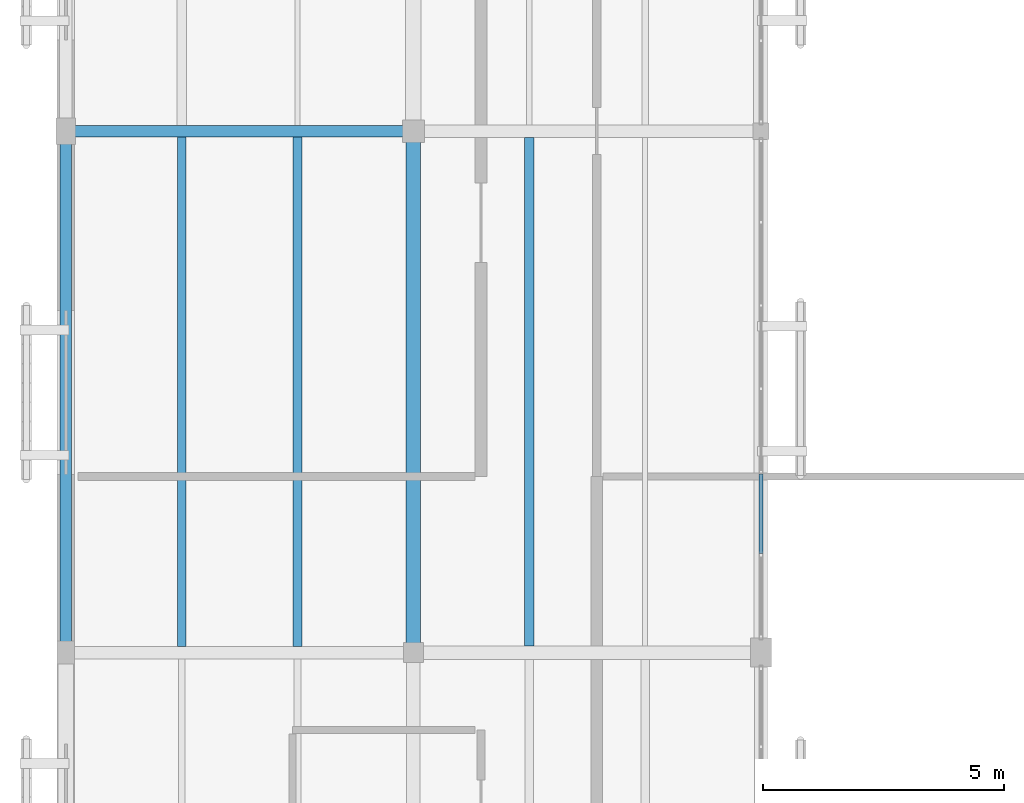
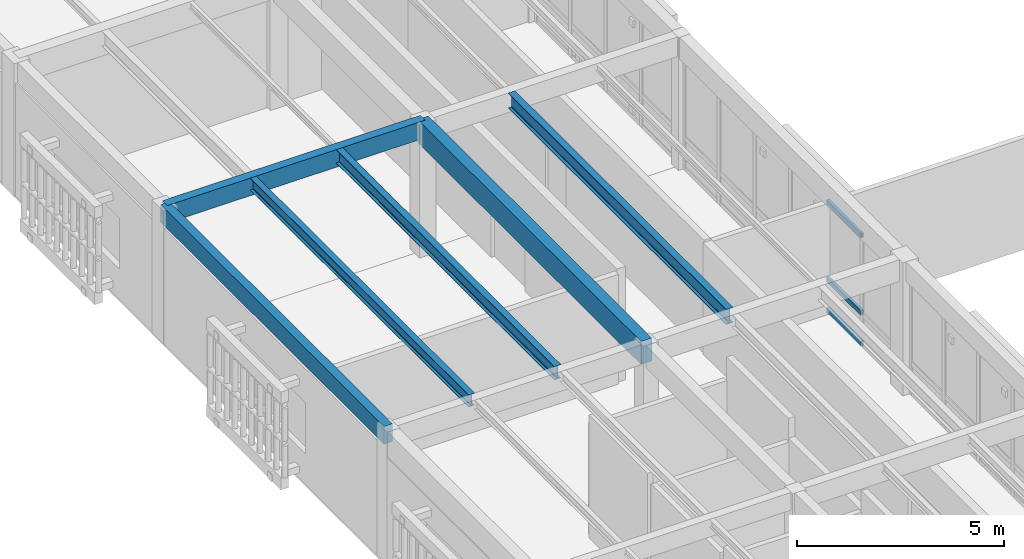
# One storey, part 26 of 112: 6 beams, 3 members, 1 element without a shape of its own.
"""IFC4 building model written with IfcOpenShell, lengths in metres."""

from ifc_helpers import new_model, si_unit, direction, frame, origin, origin_2d, place, context, subcontext, project, spatial, rectangle, hollow_rectangle, i_section, extrude, material, layer, layer_set, material_profile, profile_set, type_object, element, aggregate, save


model = new_model("IFC4")

# Units and contexts
model_context = context("Model", 3, precision=1e-05, world=origin(), true_north=direction((0.0, 1.0)))
body_context = subcontext(model_context, "Body", "Model", "MODEL_VIEW")
ifc_project = project(units=[si_unit("LENGTHUNIT", "METRE"), si_unit("AREAUNIT", "SQUARE_METRE"), si_unit("VOLUMEUNIT", "CUBIC_METRE"), si_unit("PLANEANGLEUNIT", "RADIAN"), si_unit("MASSUNIT", "GRAM", prefix="KILO")], contexts=[model_context])

# Site, building, storey
site_placement = place(None, origin())
site = spatial("IfcSite", under=ifc_project, at=site_placement, CompositionType="ELEMENT")
building_placement = place(site_placement, origin())
building = spatial("IfcBuilding", under=site, at=building_placement, Name="Mazaris Harbour Polytechnic", CompositionType="ELEMENT")
storey_placement = place(building_placement, frame((0.0, 0.0, 13.800048828125)))
storey = spatial("IfcBuildingStorey", under=building, at=storey_placement, Name="L03", CompositionType="ELEMENT", Elevation=13.800048828125)

# Curtain wall, members
ifc_material_1 = material(Name="Anodised Bronze Aluminium and Low-E Glass", Category="aluminium")
ifc_layer = layer(ifc_material_1, 0.159912109375, Name="Anodised Bronze Aluminium and Low-E Glass")
ifc_layer_set = layer_set([ifc_layer], Name="Anodised Bronze Aluminium and Low-E Glass")
curtain_wall_type = type_object("IfcCurtainWallType", Name="Cloister Court Curtain Wall", PredefinedType="NOTDEFINED", material=ifc_layer_set)
curtain_wall_placement = place(storey_placement, origin())
curtain_wall = element("IfcCurtainWall", 1, at=curtain_wall_placement, inside=storey, type_object=curtain_wall_type, Name="V4 L03 Curtain Wall 155", PredefinedType="NOTDEFINED")
ifc_material_2 = material(Name="Anodised Bronze Steel S355", Category="steel")
ifc_material_profile_1 = material_profile(ifc_material_2, hollow_rectangle(XDim=0.080078125, YDim=0.139892578125, WallThickness=0.00634765625, at=origin_2d()), Name="RHS 80x140x6.3")
ifc_profile_set_1 = profile_set([ifc_material_profile_1], Name="Anodised Bronze Steel S355")
member_type = type_object("IfcMemberType", Name="Curtain Transom RHS80x140", PredefinedType="USERDEFINED", material=ifc_profile_set_1)
member_1_placement = place(storey_placement, frame((14.39990234375, 45.25634765625, 0.0400390625), z_axis=(0.0, 1.0, 0.0), x_axis=(-1.0, 0.0, 0.0)))
member_1 = element("IfcMember", 2, at=member_1_placement, type_object=member_type, Name="CW-02 transom 2.1", ObjectType="TRANSOM", PredefinedType="USERDEFINED", context=body_context, shape_type="SweptSolid", body=[
    extrude(hollow_rectangle(XDim=0.080078125, YDim=0.139892578125, WallThickness=0.00634765625, at=origin_2d()), origin(), (0.0, 0.0, 1.0), 1.644287109375),
])
member_2_placement = place(storey_placement, frame((14.39990234375, 45.25634765625, 0.949951171875), z_axis=(0.0, 1.0, 0.0), x_axis=(-1.0, 0.0, 0.0)))
member_2 = element("IfcMember", 3, at=member_2_placement, type_object=member_type, Name="CW-02 transom 2.2", ObjectType="TRANSOM", PredefinedType="USERDEFINED", context=body_context, shape_type="SweptSolid", body=[
    extrude(hollow_rectangle(XDim=0.080078125, YDim=0.139892578125, WallThickness=0.00634765625, at=origin_2d()), origin(), (0.0, 0.0, 1.0), 1.644287109375),
])
member_3_placement = place(storey_placement, frame((14.39990234375, 45.25634765625, 3.22998046875), z_axis=(0.0, 1.0, 0.0), x_axis=(-1.0, 0.0, 0.0)))
member_3 = element("IfcMember", 4, at=member_3_placement, type_object=member_type, Name="CW-02 transom 2.3", ObjectType="TRANSOM", PredefinedType="USERDEFINED", context=body_context, shape_type="SweptSolid", body=[
    extrude(hollow_rectangle(XDim=0.080078125, YDim=0.139892578125, WallThickness=0.00634765625, at=origin_2d()), origin(), (0.0, 0.0, 1.0), 1.644287109375),
])
aggregate(curtain_wall, [member_1, member_2, member_3])

# Beams
ifc_material_3 = material(Name="Glulam GL32h", Category="wood")
ifc_material_profile_2 = material_profile(ifc_material_3, rectangle(XDim=0.239990234375, YDim=0.52001953125, at=origin_2d()), Name="RECT240x520")
ifc_profile_set_2 = profile_set([ifc_material_profile_2], Name="Glulam GL32h")
beam_type_1 = type_object("IfcBeamType", Name="Glulam Girder 240x520", PredefinedType="BEAM", material=ifc_profile_set_2)
beam_1_placement = place(storey_placement, frame((0.0, 54.0, 3.659912109375), z_axis=(1.0, 0.0, 0.0), x_axis=(0.0, 1.0, 0.0)))
element("IfcBeam", 5, at=beam_1_placement, inside=storey, type_object=beam_type_1, Name="V4 L03 Girder 2200", PredefinedType="BEAM", context=body_context, shape_type="SweptSolid", body=[
    extrude(rectangle(XDim=0.239990234375, YDim=0.52001953125, at=origin_2d()), origin(), (0.0, 0.0, 1.0), 7.199951171875),
])
ifc_material_4 = material(Name="Glulam GL32h", Category="wood")
ifc_material_profile_3 = material_profile(ifc_material_4, rectangle(XDim=0.239990234375, YDim=0.52001953125, at=origin_2d()), Name="RECT240x520")
ifc_profile_set_3 = profile_set([ifc_material_profile_3], Name="Glulam GL32h")
beam_type_2 = type_object("IfcBeamType", Name="Glulam Girder 240x520 Exterior", PredefinedType="BEAM", material=ifc_profile_set_3)
beam_2_placement = place(storey_placement, frame((0.0, 43.199951171875, 3.659912109375), z_axis=(0.0, 1.0, 0.0), x_axis=(-1.0, 0.0, 0.0)))
element("IfcBeam", 6, at=beam_2_placement, inside=storey, type_object=beam_type_2, Name="V4 L03 Tie Girder 2225", PredefinedType="BEAM", context=body_context, shape_type="SweptSolid", body=[
    extrude(rectangle(XDim=0.239990234375, YDim=0.52001953125, at=origin_2d()), origin(), (0.0, 0.0, 1.0), 10.800048828125),
])
ifc_material_5 = material(Name="Glulam GL32h", Category="wood")
ifc_material_profile_4 = material_profile(ifc_material_5, rectangle(XDim=0.300048828125, YDim=0.679931640625, at=origin_2d()), Name="RECT300x680")
ifc_profile_set_4 = profile_set([ifc_material_profile_4], Name="Glulam GL32h")
beam_type_3 = type_object("IfcBeamType", Name="Glulam Girder 300x680", PredefinedType="BEAM", material=ifc_profile_set_4)
beam_3_placement = place(storey_placement, frame((7.199951171875, 43.199951171875, 3.579833984375), z_axis=(0.0, 1.0, 0.0), x_axis=(-1.0, 0.0, 0.0)))
element("IfcBeam", 7, at=beam_3_placement, inside=storey, type_object=beam_type_3, Name="V4 L03 Tie Girder 2233", PredefinedType="BEAM", context=body_context, shape_type="SweptSolid", body=[
    extrude(rectangle(XDim=0.300048828125, YDim=0.679931640625, at=origin_2d()), origin(), (0.0, 0.0, 1.0), 10.800048828125),
])
ifc_material_6 = material(Name="Steel S355", Category="steel")
ifc_material_profile_5 = material_profile(ifc_material_6, i_section(OverallWidth=0.169921875, OverallDepth=0.360107421875, WebThickness=0.008056640625, FlangeThickness=0.0126953125, FilletRadius=0.01806640625, at=origin_2d()), Name="IPE 360")
ifc_profile_set_5 = profile_set([ifc_material_profile_5], Name="Steel S355")
beam_type_4 = type_object("IfcBeamType", Name="Steel Joist IPE360", PredefinedType="JOIST", material=ifc_profile_set_5)
beam_4_placement = place(storey_placement, frame((2.39990234375, 43.330078125, 3.739990234375), z_axis=(0.0, 1.0, 0.0), x_axis=(-1.0, 0.0, 0.0)))
element("IfcBeam", 8, at=beam_4_placement, inside=storey, type_object=beam_type_4, Name="V4 L03 Floor Joist 2286", PredefinedType="JOIST", context=body_context, shape_type="SweptSolid", body=[
    extrude(i_section(OverallWidth=0.169921875, OverallDepth=0.360107421875, WebThickness=0.008056640625, FlangeThickness=0.0126953125, FilletRadius=0.01806640625, at=origin_2d()), origin(), (0.0, 0.0, 1.0), 10.5498046875),
])
ifc_material_7 = material(Name="Steel S355", Category="steel")
ifc_material_profile_6 = material_profile(ifc_material_7, i_section(OverallWidth=0.179931640625, OverallDepth=0.39990234375, WebThickness=0.008544921875, FlangeThickness=0.013427734375, FilletRadius=0.02099609375, at=origin_2d()), Name="IPE 400")
ifc_profile_set_6 = profile_set([ifc_material_profile_6], Name="Steel S355")
beam_type_5 = type_object("IfcBeamType", Name="Steel Joist IPE400", PredefinedType="JOIST", material=ifc_profile_set_6)
beam_5_placement = place(storey_placement, frame((4.800048828125, 43.330078125, 3.719970703125), z_axis=(0.0, 1.0, 0.0), x_axis=(-1.0, 0.0, 0.0)))
element("IfcBeam", 9, at=beam_5_placement, inside=storey, type_object=beam_type_5, Name="V4 L03 Floor Joist 2287", PredefinedType="JOIST", context=body_context, shape_type="SweptSolid", body=[
    extrude(i_section(OverallWidth=0.179931640625, OverallDepth=0.39990234375, WebThickness=0.008544921875, FlangeThickness=0.013427734375, FilletRadius=0.02099609375, at=origin_2d()), origin(), (0.0, 0.0, 1.0), 10.5498046875),
])
ifc_material_8 = material(Name="Steel S355", Category="steel")
ifc_material_profile_7 = material_profile(ifc_material_8, i_section(OverallWidth=0.18994140625, OverallDepth=0.449951171875, WebThickness=0.009521484375, FlangeThickness=0.0146484375, FilletRadius=0.02099609375, at=origin_2d()), Name="IPE 450")
ifc_profile_set_7 = profile_set([ifc_material_profile_7], Name="Steel S355")
beam_type_6 = type_object("IfcBeamType", Name="Steel Joist IPE450", PredefinedType="JOIST", material=ifc_profile_set_7)
beam_6_placement = place(storey_placement, frame((9.60009765625, 43.340087890625, 3.695068359375), z_axis=(0.0, 1.0, 0.0), x_axis=(-1.0, 0.0, 0.0)))
element("IfcBeam", 10, at=beam_6_placement, inside=storey, type_object=beam_type_6, Name="V4 L03 Floor Joist 2302", PredefinedType="JOIST", context=body_context, shape_type="SweptSolid", body=[
    extrude(i_section(OverallWidth=0.18994140625, OverallDepth=0.449951171875, WebThickness=0.009521484375, FlangeThickness=0.0146484375, FilletRadius=0.02099609375, at=origin_2d()), origin(), (0.0, 0.0, 1.0), 10.530029296875),
])

save(model, "model.ifc")
